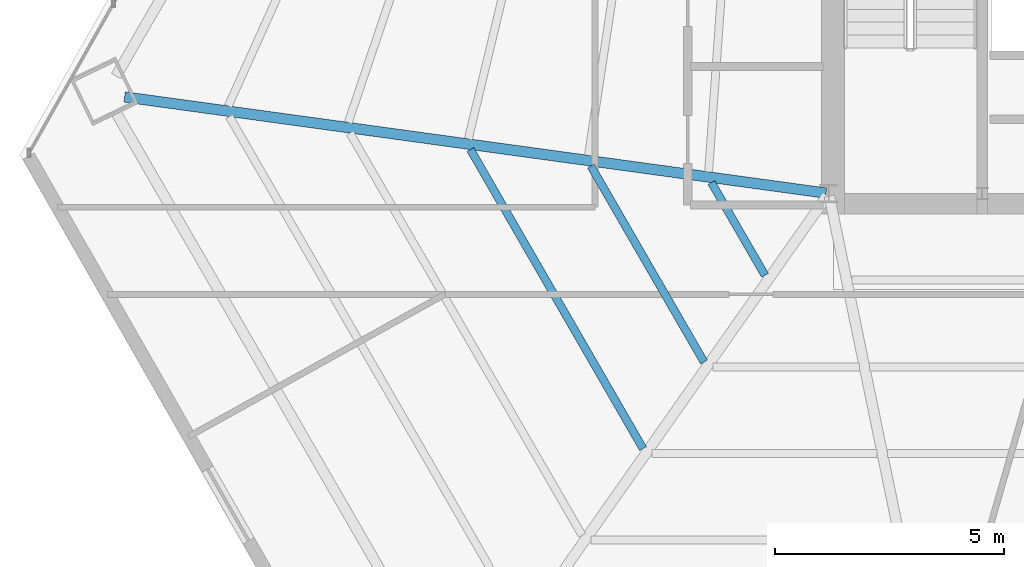
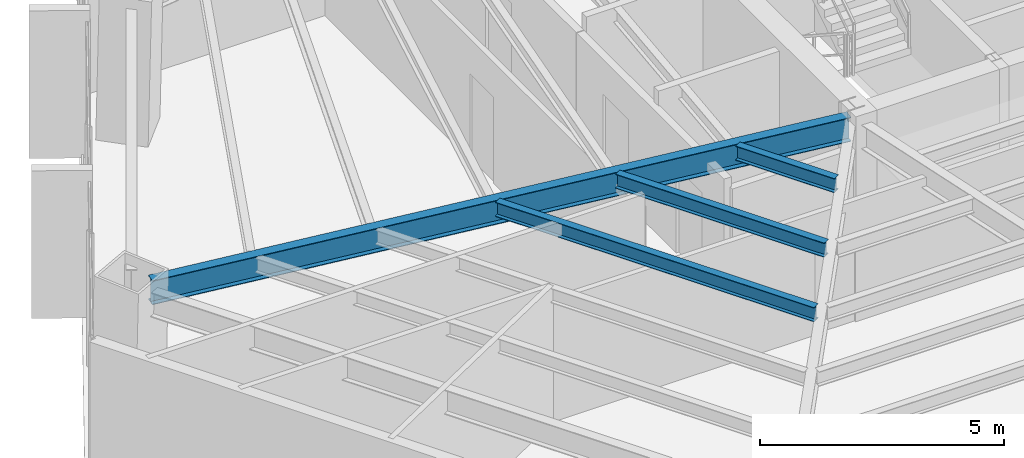
# One storey, part 7 of 35: 4 beams.
"""IFC4 building model written with IfcOpenShell, lengths in metres."""

import ifcopenshell
import ifcopenshell.guid

model = None  # the IFC model being written
_history = None  # IfcOwnerHistory: only IFC2X3 demands one
_inside = {}  # id of a spatial element -> (the spatial element, [elements in it])
_under = {}  # id of a project, library or spatial element -> (it, [spatial elements below it])
_declared = {}  # id of a project -> (the project, [libraries it declares])
_typed = {}  # id of a type object -> (the type object, [elements of that type])
_made_of = {}  # id of a material, layer set ... -> (it, [elements and type objects made of it])


def new_model(schema):
    """Start an empty IFC model of exactly this schema.

    Asked for "IFC4X3", IfcOpenShell would pick the latest addendum, in which some entities
    have other attributes; the version numbers below select the first issue.
    IFC2X3 requires an IfcOwnerHistory on every rooted entity: one is made here for all.
    """
    global model, _history
    if schema == "IFC4X3":
        model = ifcopenshell.file(schema_version=(4, 3, 0, 0))
    else:
        model = ifcopenshell.file(schema=schema)
    _inside.clear()
    _under.clear()
    _declared.clear()
    _typed.clear()
    _made_of.clear()
    _history = None
    if model.schema == "IFC2X3":
        org = make("IfcOrganization", Name="unknown")
        user = make(
            "IfcPersonAndOrganization",
            ThePerson=make("IfcPerson", FamilyName="unknown"),
            TheOrganization=org,
        )
        app = make(
            "IfcApplication",
            ApplicationDeveloper=org,
            Version="unknown",
            ApplicationFullName="unknown",
            ApplicationIdentifier="unknown",
        )
        _history = make(
            "IfcOwnerHistory",
            OwningUser=user,
            OwningApplication=app,
            ChangeAction="ADDED",
            CreationDate=0,
        )
    return model


def make(cls, **values):
    """One entity of the class cls with the attributes given. An attribute that is None is left unset."""
    return model.create_entity(
        cls, **{name: value for name, value in values.items() if value is not None}
    )


def rooted(cls, **values):
    """An entity with a GlobalId (a new one), such as an element, a storey or a relation."""
    return make(cls, GlobalId=ifcopenshell.guid.new(), OwnerHistory=_history, **values)


def si_unit(unit_type, name, prefix=None):
    """IfcSIUnit, for example si_unit("LENGTHUNIT", "METRE", prefix="MILLI")."""
    return make("IfcSIUnit", UnitType=unit_type, Prefix=prefix, Name=name)


def assignment(units):
    """IfcUnitAssignment: the units of a project."""
    return None if units is None else make("IfcUnitAssignment", Units=units)


def point(xyz):
    """IfcCartesianPoint."""
    return None if xyz is None else make("IfcCartesianPoint", Coordinates=xyz)


def direction(xyz):
    """IfcDirection."""
    return None if xyz is None else make("IfcDirection", DirectionRatios=xyz)


def frame(location, z_axis=None, x_axis=None):
    """IfcAxis2Placement3D, a coordinate frame: its origin and axes. An axis left out is left unset."""
    return make(
        "IfcAxis2Placement3D",
        Location=point(location),
        Axis=direction(z_axis),
        RefDirection=direction(x_axis),
    )


def frame_2d(location, x_axis=None):
    """IfcAxis2Placement2D, a coordinate frame in the plane: its origin and x axis."""
    return make(
        "IfcAxis2Placement2D", Location=point(location), RefDirection=direction(x_axis)
    )


def origin():
    """The frame at (0, 0, 0) with its axes left unset."""
    return frame((0.0, 0.0, 0.0))


def origin_2d():
    """The frame at (0, 0) in the plane with its x axis left unset."""
    return frame_2d((0.0, 0.0))


def place(relative_to, where):
    """IfcLocalPlacement: puts the frame where relative to a parent placement (None: the world)."""
    return make(
        "IfcLocalPlacement", PlacementRelTo=relative_to, RelativePlacement=where
    )


def context(
    kind, dimensions, precision=None, world=None, true_north=None, identifier=None
):
    """IfcGeometricRepresentationContext, for example the 3D "Model" context."""
    return make(
        "IfcGeometricRepresentationContext",
        ContextIdentifier=identifier,
        ContextType=kind,
        CoordinateSpaceDimension=dimensions,
        Precision=precision,
        WorldCoordinateSystem=world,
        TrueNorth=true_north,
    )


def subcontext(parent, identifier, kind, view, scale=None):
    """IfcGeometricRepresentationSubContext, for example "Body" below "Model"."""
    return make(
        "IfcGeometricRepresentationSubContext",
        ContextIdentifier=identifier,
        ContextType=kind,
        ParentContext=parent,
        TargetScale=scale,
        TargetView=view,
    )


def project(units=None, contexts=None):
    """IfcProject with its units and contexts."""
    return rooted(
        "IfcProject",
        Name="project",
        RepresentationContexts=contexts,
        UnitsInContext=assignment(units),
    )


def spatial(cls, under=None, at=None, **own):
    """A site, building, storey or space (cls), placed at a placement, below another one or the project."""
    s = rooted(cls, ObjectPlacement=at, **own)
    if under is not None:
        _under.setdefault(under.id(), (under, []))[1].append(s)
    return s


def profile(cls, at=None, kind="AREA", **sizes):
    """A parametric profile (cls). Its sizes go by their IFC names, for example OverallWidth=200.0."""
    return make(cls, ProfileType=kind, Position=at, **sizes)


def i_section(**sizes):
    """IfcIShapeProfileDef."""
    return profile("IfcIShapeProfileDef", **sizes)


def extrude(swept, where, along, depth):
    """IfcExtrudedAreaSolid: the profile swept, set in the frame where, extruded along a direction by depth."""
    return make(
        "IfcExtrudedAreaSolid",
        SweptArea=swept,
        Position=where,
        ExtrudedDirection=direction(along),
        Depth=depth,
    )


def shape(context_of_items, identifier, shape_type, items):
    """IfcShapeRepresentation: the items that make up one representation, for example the "Body"."""
    return make(
        "IfcShapeRepresentation",
        ContextOfItems=context_of_items,
        RepresentationIdentifier=identifier,
        RepresentationType=shape_type,
        Items=items,
    )


def source(mapping_origin, context_of_items, identifier, shape_type, items):
    """IfcRepresentationMap: a shape defined once, which mapped items show again and again."""
    return make(
        "IfcRepresentationMap",
        MappingOrigin=mapping_origin,
        MappedRepresentation=shape(context_of_items, identifier, shape_type, items),
    )


def transform(
    local_origin,
    x_axis=None,
    y_axis=None,
    z_axis=None,
    scale=None,
    scale2=None,
    scale3=None,
    uniform=True,
):
    """IfcCartesianTransformationOperator3D, or its non-uniform kind. x_axis, y_axis, z_axis: its Axis1, 2, 3."""
    if uniform:
        return make(
            "IfcCartesianTransformationOperator3D",
            Axis1=direction(x_axis),
            Axis2=direction(y_axis),
            LocalOrigin=point(local_origin),
            Scale=scale,
            Axis3=direction(z_axis),
        )
    return make(
        "IfcCartesianTransformationOperator3DnonUniform",
        Axis1=direction(x_axis),
        Axis2=direction(y_axis),
        LocalOrigin=point(local_origin),
        Scale=scale,
        Axis3=direction(z_axis),
        Scale2=scale2,
        Scale3=scale3,
    )


def mapped(mapping_source, mapping_target):
    """IfcMappedItem: shows the shape of a source again, moved by a transform."""
    return make(
        "IfcMappedItem", MappingSource=mapping_source, MappingTarget=mapping_target
    )


def material(Name=None, Category=None):
    """IfcMaterial."""
    return make("IfcMaterial", Name=Name, Category=Category)


def material_profile(
    of_material, cross_section, Name=None, Category=None, Priority=None
):
    """IfcMaterialProfile: a cross section and its material."""
    return make(
        "IfcMaterialProfile",
        Name=Name,
        Material=of_material,
        Profile=cross_section,
        Priority=Priority,
        Category=Category,
    )


def profile_set(profiles, Name=None, composite=None):
    """IfcMaterialProfileSet."""
    return make(
        "IfcMaterialProfileSet",
        Name=Name,
        MaterialProfiles=profiles,
        CompositeProfile=composite,
    )


def made_of(thing, what):
    """Note that an element or type object is made of a material, layer set ...; save() writes the relation."""
    if what is not None:
        _made_of.setdefault(what.id(), (what, []))[1].append(thing)
    return thing


def type_object(cls, material=None, **own):
    """A type object (cls), such as IfcWallType, which elements share."""
    return made_of(rooted(cls, **own), material)


def type_shapes(of_type, sources):
    """Give a type object the sources (RepresentationMaps) that its elements show as mapped items."""
    of_type.RepresentationMaps = sources


def element(
    cls,
    number,
    at=None,
    inside=None,
    cuts=None,
    type_object=None,
    material=None,
    context=None,
    identifier="Body",
    shape_type=None,
    held_by="IfcProductDefinitionShape",
    body=None,
    shapes=None,
    **own,
):
    """One element of the class cls, such as IfcWall. Its Tag is "e" and its number.

    at: its placement. inside: the storey or other place that contains it. cuts: it is an
    opening in that element (IfcRelVoidsElement). A single representation is given by context,
    identifier, shape_type and body (its items); several are given by shapes. held_by: the class
    of the entity that holds the representations. save() writes the other relations.
    """
    e = rooted(cls, Tag="e%d" % number, ObjectPlacement=at, **own)
    if body is not None:
        shapes = [shape(context, identifier, shape_type, body)]
    if shapes is not None:
        e.Representation = make(held_by, Representations=shapes)
    if inside is not None:
        _inside.setdefault(inside.id(), (inside, []))[1].append(e)
    if cuts is not None:
        rooted(
            "IfcRelVoidsElement", RelatingBuildingElement=cuts, RelatedOpeningElement=e
        )
    if type_object is not None:
        _typed.setdefault(type_object.id(), (type_object, []))[1].append(e)
    return made_of(e, material)


def aggregate(whole, parts):
    """IfcRelAggregates: a whole, such as a stair, and the parts it consists of."""
    return rooted("IfcRelAggregates", RelatingObject=whole, RelatedObjects=parts)


def save(model, path):
    """Write the relations noted so far, then the file.

    IfcRelAggregates (storeys below a building ...), IfcRelContainedInSpatialStructure (elements
    in a storey), IfcRelDefinesByType, IfcRelAssociatesMaterial and IfcRelDeclares: one each for
    every whole, place, type object, material and project.
    """
    for whole, parts in _under.values():
        aggregate(whole, parts)
    for where, things in _inside.values():
        rooted(
            "IfcRelContainedInSpatialStructure",
            RelatedElements=things,
            RelatingStructure=where,
        )
    for kind, things in _typed.values():
        rooted("IfcRelDefinesByType", RelatedObjects=things, RelatingType=kind)
    for what, things in _made_of.values():
        rooted("IfcRelAssociatesMaterial", RelatedObjects=things, RelatingMaterial=what)
    for by, libraries in _declared.values():
        rooted("IfcRelDeclares", RelatingContext=by, RelatedDefinitions=libraries)
    model.write(path)


model = new_model("IFC4")

# Units and contexts
model_context = context("Model", 3, precision=1e-05, world=origin(), true_north=direction((0.0, 1.0)))
body_context = subcontext(model_context, "Body", "Model", "MODEL_VIEW")
ifc_project = project(units=[si_unit("LENGTHUNIT", "METRE"), si_unit("AREAUNIT", "SQUARE_METRE"), si_unit("VOLUMEUNIT", "CUBIC_METRE"), si_unit("PLANEANGLEUNIT", "RADIAN"), si_unit("MASSUNIT", "GRAM", prefix="KILO")], contexts=[model_context])

# Site, building, storey
site_placement = place(None, origin())
site = spatial("IfcSite", under=ifc_project, at=site_placement, CompositionType="ELEMENT")
building_placement = place(site_placement, origin())
building = spatial("IfcBuilding", under=site, at=building_placement, Name="Caelisora Broadcast Tower", CompositionType="ELEMENT")
storey_placement = place(building_placement, frame((0.0, 0.0, 87.14990234375)))
storey = spatial("IfcBuildingStorey", under=building, at=storey_placement, Name="L22", CompositionType="ELEMENT", Elevation=87.14990234375)

# Beams
ifc_material = material(Name="Steel Grade 350 (AS/NZS 3679.1)", Category="steel")
ifc_material_profile_1 = material_profile(ifc_material, i_section(OverallWidth=0.22802734375, OverallDepth=0.602294921875, WebThickness=0.010498046875, FlangeThickness=0.014892578125, at=origin_2d()), Name="Steel Grade 350 (AS/NZS 3679.1)")
ifc_profile_set_1 = profile_set([ifc_material_profile_1], Name="Steel Grade 350 (AS/NZS 3679.1)")
beam_type_1 = type_object("IfcBeamType", Name="PG04", PredefinedType="BEAM", material=ifc_profile_set_1)
shared_shape_1 = source(origin(), body_context, "Body", "SweptSolid", [
    extrude(i_section(OverallWidth=0.22802734375, OverallDepth=0.602294921875, WebThickness=0.010498046875, FlangeThickness=0.014892578125, at=origin_2d()), origin(), (0.0, 0.0, 1.0), 15.453125),
])
type_shapes(beam_type_1, [shared_shape_1])
beam_1_placement = place(storey_placement, frame((30.440673828125, 17.408203125, 3.098876953125), z_axis=(-0.990726722416, 0.135869648898, 0.0), x_axis=(-0.135869648898, -0.990726722416, 0.0)))
element("IfcBeam", 1, at=beam_1_placement, inside=storey, type_object=beam_type_1, Name="L22 beam PG04", PredefinedType="BEAM", context=body_context, shape_type="MappedRepresentation", body=[
    mapped(shared_shape_1, transform((0.0, 0.0, 0.0), scale=1.0)),
])
ifc_material_profile_2 = material_profile(ifc_material, i_section(OverallWidth=0.172119140625, OverallDepth=0.358642578125, WebThickness=0.008056640625, FlangeThickness=0.012939453125, at=origin_2d()), Name="Steel Grade 350 (AS/NZS 3679.1)")
ifc_profile_set_2 = profile_set([ifc_material_profile_2], Name="Steel Grade 350 (AS/NZS 3679.1)")
beam_type_2 = type_object("IfcBeamType", Name="SB02", PredefinedType="JOIST", material=ifc_profile_set_2)
shared_shape_2 = source(origin(), body_context, "Body", "SweptSolid", [
    extrude(i_section(OverallWidth=0.172119140625, OverallDepth=0.358642578125, WebThickness=0.008056640625, FlangeThickness=0.012939453125, at=origin_2d()), origin(), (0.0, 0.0, 1.0), 2.336669921875),
])
beam_2_placement = place(storey_placement, frame((27.939697265625, 17.638427734375, 3.220703125), z_axis=(0.500072169849, -0.865983732493, 0.0), x_axis=(0.865983732493, 0.500072169849, 0.0)))
element("IfcBeam", 2, at=beam_2_placement, inside=storey, type_object=beam_type_2, Name="L22 beam SB02", PredefinedType="JOIST", context=body_context, shape_type="MappedRepresentation", body=[
    mapped(shared_shape_2, transform((0.0, 0.0, 0.0), scale=1.0)),
])
shared_shape_3 = source(origin(), body_context, "Body", "SweptSolid", [
    extrude(i_section(OverallWidth=0.172119140625, OverallDepth=0.358642578125, WebThickness=0.008056640625, FlangeThickness=0.012939453125, at=origin_2d()), origin(), (0.0, 0.0, 1.0), 4.9375),
])
beam_3_placement = place(storey_placement, frame((25.308837890625, 17.999267578125, 3.220703125), z_axis=(0.500010657777, -0.866019250426, 0.0), x_axis=(0.866019250426, 0.500010657777, 0.0)))
element("IfcBeam", 3, at=beam_3_placement, inside=storey, type_object=beam_type_2, Name="L22 beam SB02", PredefinedType="JOIST", context=body_context, shape_type="MappedRepresentation", body=[
    mapped(shared_shape_3, transform((0.0, 0.0, 0.0), scale=1.0)),
])
shared_shape_4 = source(origin(), body_context, "Body", "SweptSolid", [
    extrude(i_section(OverallWidth=0.172119140625, OverallDepth=0.358642578125, WebThickness=0.008056640625, FlangeThickness=0.012939453125, at=origin_2d()), origin(), (0.0, 0.0, 1.0), 7.537841796875),
])
type_shapes(beam_type_2, [shared_shape_2, shared_shape_3, shared_shape_4])
beam_4_placement = place(storey_placement, frame((22.677978515625, 18.360107421875, 3.220703125), z_axis=(0.500019639741, -0.866014064478, 0.0), x_axis=(0.866014064478, 0.500019639741, 0.0)))
element("IfcBeam", 4, at=beam_4_placement, inside=storey, type_object=beam_type_2, Name="L22 beam SB02", PredefinedType="JOIST", context=body_context, shape_type="MappedRepresentation", body=[
    mapped(shared_shape_4, transform((0.0, 0.0, 0.0), scale=1.0)),
])

save(model, "model.ifc")
